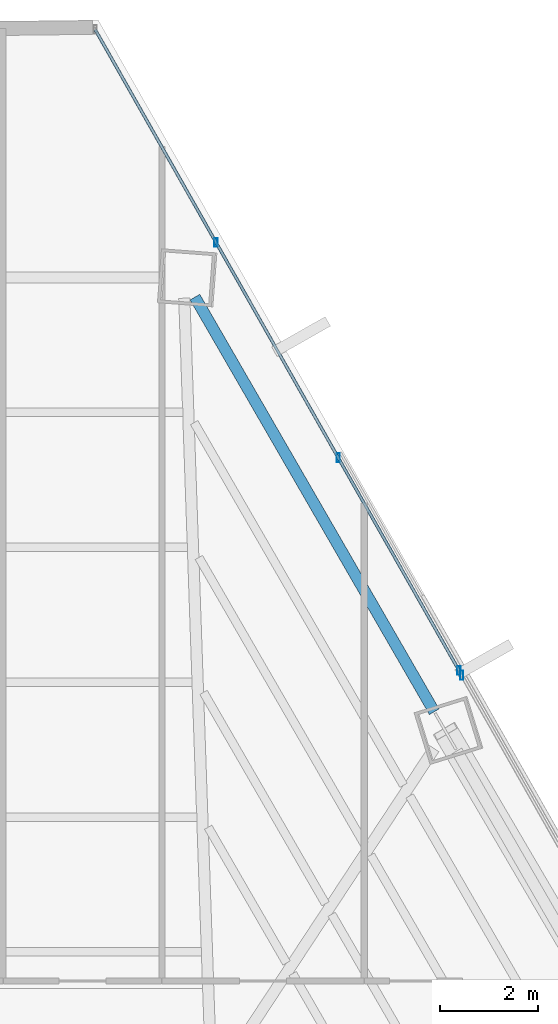
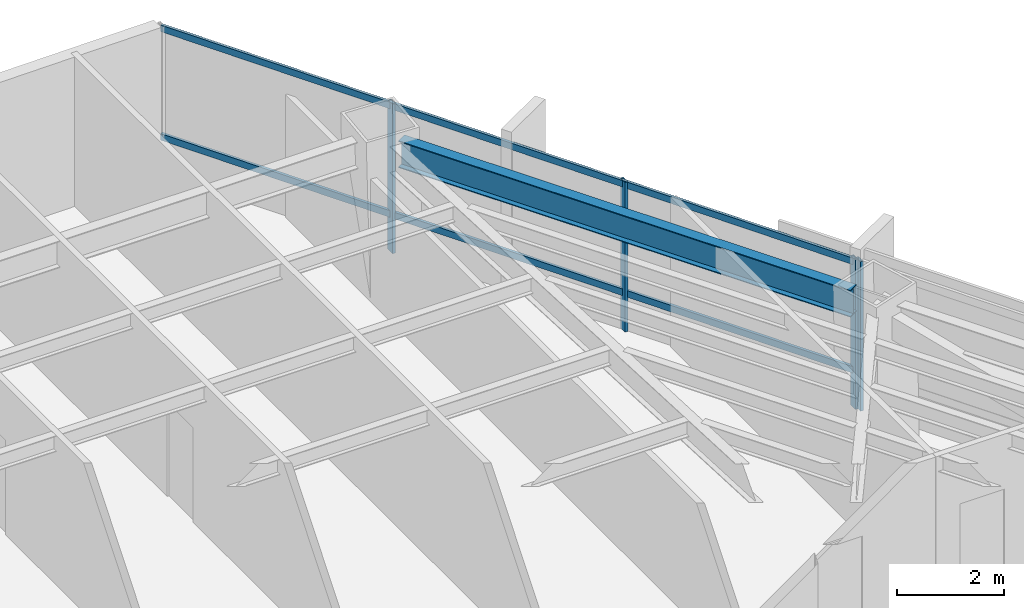
# One storey, part 27 of 35: 6 members, 1 beam, 2 elements without a shape of their own.
"""IFC4 building model written with IfcOpenShell, lengths in metres."""

from ifc_helpers import new_model, si_unit, direction, frame, origin, origin_2d, place, context, subcontext, project, spatial, hollow_rectangle, i_section, extrude, source, transform, mapped, material, material_profile, profile_set, type_object, type_shapes, element, aggregate, save


model = new_model("IFC4")

# Units and contexts
model_context = context("Model", 3, precision=1e-05, world=origin(), true_north=direction((0.0, 1.0)))
body_context = subcontext(model_context, "Body", "Model", "MODEL_VIEW")
ifc_project = project(units=[si_unit("LENGTHUNIT", "METRE"), si_unit("AREAUNIT", "SQUARE_METRE"), si_unit("VOLUMEUNIT", "CUBIC_METRE"), si_unit("PLANEANGLEUNIT", "RADIAN"), si_unit("MASSUNIT", "GRAM", prefix="KILO")], contexts=[model_context])

# Site, building, storey
site_placement = place(None, origin())
site = spatial("IfcSite", under=ifc_project, at=site_placement, CompositionType="ELEMENT")
building_placement = place(site_placement, origin())
building = spatial("IfcBuilding", under=site, at=building_placement, Name="Caelisora Broadcast Tower", CompositionType="ELEMENT")
storey_placement = place(building_placement, frame((0.0, 0.0, 123.64990234375)))
storey = spatial("IfcBuildingStorey", under=building, at=storey_placement, Name="L32", CompositionType="ELEMENT", Elevation=123.64990234375)

# Beam
ifc_material_1 = material(Name="Steel Grade 350 (AS/NZS 3679.1)", Category="steel")
ifc_material_profile_1 = material_profile(ifc_material_1, i_section(OverallWidth=0.22900390625, OverallDepth=0.611572265625, WebThickness=0.011962890625, FlangeThickness=0.01953125, at=origin_2d()), Name="Steel Grade 350 (AS/NZS 3679.1)")
ifc_profile_set_1 = profile_set([ifc_material_profile_1], Name="Steel Grade 350 (AS/NZS 3679.1)")
beam_type = type_object("IfcBeamType", Name="PG03", PredefinedType="BEAM", material=ifc_profile_set_1)
shared_shape_1 = source(origin(), body_context, "Body", "SweptSolid", [
    extrude(i_section(OverallWidth=0.22900390625, OverallDepth=0.611572265625, WebThickness=0.011962890625, FlangeThickness=0.01953125, at=origin_2d()), origin(), (0.0, 0.0, 1.0), 9.72998046875),
])
type_shapes(beam_type, [shared_shape_1])
beam_placement = place(storey_placement, frame((50.02490234375, 37.62255859375, 3.09423828125), z_axis=(-0.499995398093, 0.86602806068, 0.0), x_axis=(-0.86602806068, -0.499995398093, 0.0)))
element("IfcBeam", 1, at=beam_placement, inside=storey, type_object=beam_type, Name="L32 beam PG03", PredefinedType="BEAM", context=body_context, shape_type="MappedRepresentation", body=[
    mapped(shared_shape_1, transform((0.0, 0.0, 0.0), scale=1.0)),
])

# Curtain wall, members
ifc_material_2 = material(Name="Unitised Aluminium and Low-E Glass Curtain Wall", Category="glass")
curtain_wall_type_1 = type_object("IfcCurtainWallType", Name="CW-Z2", PredefinedType="NOTDEFINED", material=ifc_material_2)
curtain_wall_1_placement = place(storey_placement, origin())
curtain_wall_1 = element("IfcCurtainWall", 2, at=curtain_wall_1_placement, inside=storey, type_object=curtain_wall_type_1, Name="L32 curtain wall CW-Z2", PredefinedType="NOTDEFINED")
ifc_material_3 = material(Name="Aluminium 6063-T6 Anodised Terracotta Bronze", Category="aluminium")
ifc_material_profile_2 = material_profile(ifc_material_3, hollow_rectangle(XDim=0.06494140625, YDim=0.179931640625, WallThickness=0.00341796875, at=origin_2d()), Name="Aluminium 6063-T6 Anodised Terracotta Bronze")
ifc_profile_set_2 = profile_set([ifc_material_profile_2], Name="Aluminium 6063-T6 Anodised Terracotta Bronze")
member_type_1 = type_object("IfcMemberType", Name="CWM-02", PredefinedType="MULLION", material=ifc_profile_set_2)
shared_shape_2 = source(origin(), body_context, "Body", "SweptSolid", [
    extrude(hollow_rectangle(XDim=0.06494140625, YDim=0.179931640625, WallThickness=0.00341796875, at=origin_2d()), origin(), (0.0, 0.0, 1.0), 3.400146484375),
])
type_shapes(member_type_1, [shared_shape_2])
member_1_placement = place(storey_placement, frame((45.58984375, 47.159423828125, 0.0), z_axis=(0.0, 0.0, 1.0), x_axis=(1.0, 0.0, 0.0)))
member_1 = element("IfcMember", 3, at=member_1_placement, type_object=member_type_1, Name="L32-CW-B01 mullion #1", PredefinedType="MULLION", context=body_context, shape_type="MappedRepresentation", body=[
    mapped(shared_shape_2, transform((0.0, 0.0, 0.0), scale=1.0)),
])
member_2_placement = place(storey_placement, frame((48.071533203125, 42.78759765625, 0.0), z_axis=(0.0, 0.0, 1.0), x_axis=(1.0, 0.0, 0.0)))
member_2 = element("IfcMember", 4, at=member_2_placement, type_object=member_type_1, Name="L32-CW-B01 mullion #2", PredefinedType="MULLION", context=body_context, shape_type="MappedRepresentation", body=[
    mapped(shared_shape_2, transform((0.0, 0.0, 0.0), scale=1.0)),
])
member_3_placement = place(storey_placement, frame((50.528564453125, 38.459716796875, 0.0), z_axis=(0.0, 0.0, 1.0), x_axis=(1.0, 0.0, 0.0)))
member_3 = element("IfcMember", 5, at=member_3_placement, type_object=member_type_1, Name="L32-CW-B01 mullion #3", PredefinedType="MULLION", context=body_context, shape_type="MappedRepresentation", body=[
    mapped(shared_shape_2, transform((0.0, 0.0, 0.0), scale=1.0)),
])

# Curtain wall, member
ifc_material_4 = material(Name="Unitised Aluminium Insulated Shadow-Box Spandrel Curtain Wall", Category="aluminium")
curtain_wall_type_2 = type_object("IfcCurtainWallType", Name="CW-SP1", PredefinedType="NOTDEFINED", material=ifc_material_4)
curtain_wall_2_placement = place(storey_placement, origin())
curtain_wall_2 = element("IfcCurtainWall", 6, at=curtain_wall_2_placement, inside=storey, type_object=curtain_wall_type_2, Name="L32 curtain wall CW-SP1", PredefinedType="NOTDEFINED")
member_4_placement = place(storey_placement, frame((50.5830078125, 38.364013671875, 0.0), z_axis=(0.0, 0.0, 1.0), x_axis=(1.0, 0.0, 0.0)))
member_4 = element("IfcMember", 7, at=member_4_placement, type_object=member_type_1, Name="L32-CW-B02 mullion #0", PredefinedType="MULLION", context=body_context, shape_type="MappedRepresentation", body=[
    mapped(shared_shape_2, transform((0.0, 0.0, 0.0), scale=1.0)),
])
aggregate(curtain_wall_2, [member_4])

# Member
ifc_material_profile_3 = material_profile(ifc_material_3, hollow_rectangle(XDim=0.06005859375, YDim=0.14990234375, WallThickness=0.00341796875, at=origin_2d()), Name="Aluminium 6063-T6 Anodised Terracotta Bronze")
ifc_profile_set_3 = profile_set([ifc_material_profile_3], Name="Aluminium 6063-T6 Anodised Terracotta Bronze")
member_type_2 = type_object("IfcMemberType", Name="CWT-02", PredefinedType="USERDEFINED", material=ifc_profile_set_3)
shared_shape_3 = source(origin(), body_context, "Body", "SweptSolid", [
    extrude(hollow_rectangle(XDim=0.06005859375, YDim=0.14990234375, WallThickness=0.00341796875, at=origin_2d()), origin(), (0.0, 0.0, 1.0), 14.980712890625),
])
type_shapes(member_type_2, [shared_shape_3])
member_5_placement = place(storey_placement, frame((43.1328125, 51.487548828125, 0.85009765625), z_axis=(0.493685138608, -0.86964072117, 0.0), x_axis=(0.86964072117, 0.493685138608, 0.0)))
member_5 = element("IfcMember", 8, at=member_5_placement, type_object=member_type_2, Name="L32-CW-B01 transom #1", ObjectType="TRANSOM", PredefinedType="USERDEFINED", context=body_context, shape_type="MappedRepresentation", body=[
    mapped(shared_shape_3, transform((0.0, 0.0, 0.0), scale=1.0)),
])

member_6_placement = place(storey_placement, frame((43.1328125, 51.487548828125, 3.320068359375), z_axis=(0.493685138608, -0.86964072117, 0.0), x_axis=(0.86964072117, 0.493685138608, 0.0)))
member_6 = element("IfcMember", 9, at=member_6_placement, type_object=member_type_2, Name="L32-CW-B01 transom #2", ObjectType="TRANSOM", PredefinedType="USERDEFINED", context=body_context, shape_type="MappedRepresentation", body=[
    mapped(shared_shape_3, transform((0.0, 0.0, 0.0), scale=1.0)),
])

aggregate(curtain_wall_1, [member_1, member_2, member_3, member_5, member_6])

save(model, "model.ifc")
